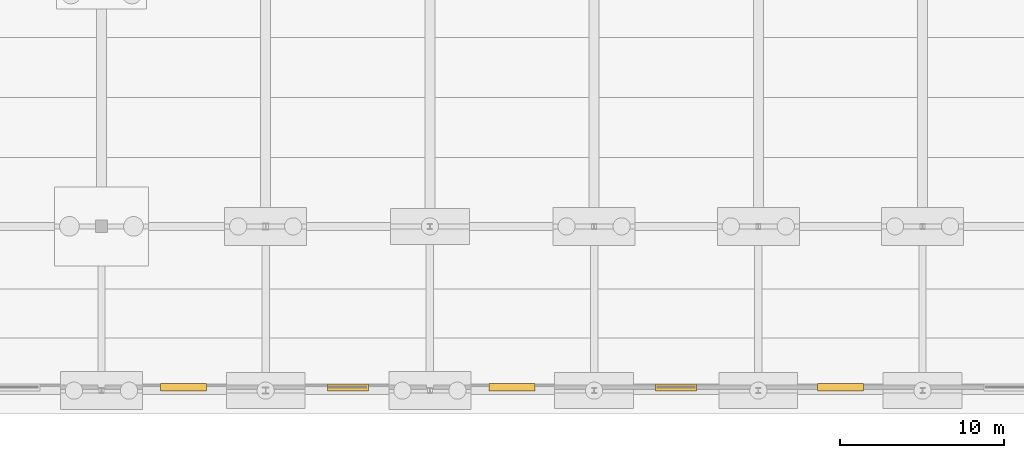
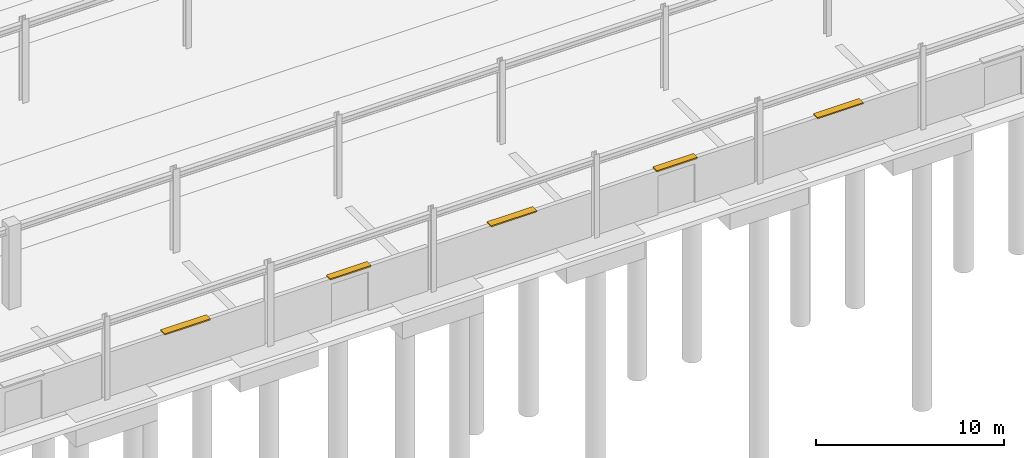
# One storey, part 89 of 99: 5 shading devices.
"""IFC4 building model written with IfcOpenShell, lengths in metres."""

from ifc_helpers import new_model, si_unit, direction, frame, origin, origin_2d, place, context, subcontext, project, spatial, rectangle, extrude, material, layer, layer_set, type_object, element, save


model = new_model("IFC4")

# Units and contexts
model_context = context("Model", 3, precision=1e-05, world=origin(), true_north=direction((0.0, 1.0)))
body_context = subcontext(model_context, "Body", "Model", "MODEL_VIEW")
ifc_project = project(units=[si_unit("LENGTHUNIT", "METRE"), si_unit("AREAUNIT", "SQUARE_METRE"), si_unit("VOLUMEUNIT", "CUBIC_METRE"), si_unit("PLANEANGLEUNIT", "RADIAN"), si_unit("MASSUNIT", "GRAM", prefix="KILO")], contexts=[model_context])

# Site, building, storey
site_placement = place(None, origin())
site = spatial("IfcSite", under=ifc_project, at=site_placement, CompositionType="ELEMENT")
building_placement = place(site_placement, origin())
building = spatial("IfcBuilding", under=site, at=building_placement, Name="Kivolera Central Railway Station", CompositionType="ELEMENT")
storey_placement = place(building_placement, origin())
storey = spatial("IfcBuildingStorey", under=building, at=storey_placement, Name="L00", CompositionType="ELEMENT", Elevation=0.0)

# Shading devices
ifc_material = material(Name="Anodised aluminium", Category="aluminium")
ifc_layer_1 = layer(ifc_material, 0.080078125, Name="Anodised aluminium")
ifc_layer_set_1 = layer_set([ifc_layer_1], Name="Anodised aluminium")
shading_device_type_1 = type_object("IfcShadingDeviceType", Name="BS-LVR-A", PredefinedType="JALOUSIE", material=ifc_layer_set_1)
for number, where, z_axis, x_axis, name in (
    (1, (93.0, 6.199951171875, 2.845947265625), (0.0, 0.0, 1.0), (1.0, 0.0, 0.0), "Platform Monsoon Wind-Baffle Louvre 09"),
    (2, (113.0, 6.199951171875, 2.845947265625), (0.0, 0.0, 1.0), (1.0, 0.0, 0.0), "Platform Monsoon Wind-Baffle Louvre 11"),
    (3, (133.0, 6.199951171875, 2.845947265625), (0.0, 0.0, 1.0), (1.0, 0.0, 0.0), "Platform Monsoon Wind-Baffle Louvre 13"),
):
    element("IfcShadingDevice", number, at=place(storey_placement, frame(where, z_axis=z_axis, x_axis=x_axis)), inside=storey, type_object=shading_device_type_1, Name=name, PredefinedType="JALOUSIE", context=body_context, shape_type="SweptSolid", body=[
        extrude(rectangle(XDim=2.800048828125, YDim=0.449951171875, at=origin_2d()), origin(), (0.0, 0.0, 1.0), 0.080078125),
    ])
ifc_layer_2 = layer(ifc_material, 0.0849609375, Name="Anodised aluminium")
ifc_layer_set_2 = layer_set([ifc_layer_2], Name="Anodised aluminium")
shading_device_type_2 = type_object("IfcShadingDeviceType", Name="BS-LVR-C", PredefinedType="JALOUSIE", material=ifc_layer_set_2)
for number, where, z_axis, x_axis, name in (
    (4, (103.0, 6.199951171875, 2.846435546875), (0.0, 0.0, 1.0), (1.0, 0.0, 0.0), "Platform Monsoon Wind-Baffle Louvre 10"),
    (5, (123.0, 6.199951171875, 2.846435546875), (0.0, 0.0, 1.0), (1.0, 0.0, 0.0), "Platform Monsoon Wind-Baffle Louvre 12"),
):
    element("IfcShadingDevice", number, at=place(storey_placement, frame(where, z_axis=z_axis, x_axis=x_axis)), inside=storey, type_object=shading_device_type_2, Name=name, PredefinedType="JALOUSIE", context=body_context, shape_type="SweptSolid", body=[
        extrude(rectangle(XDim=2.5, YDim=0.419921875, at=origin_2d()), origin(), (0.0, 0.0, 1.0), 0.0849609375),
    ])

save(model, "model.ifc")
